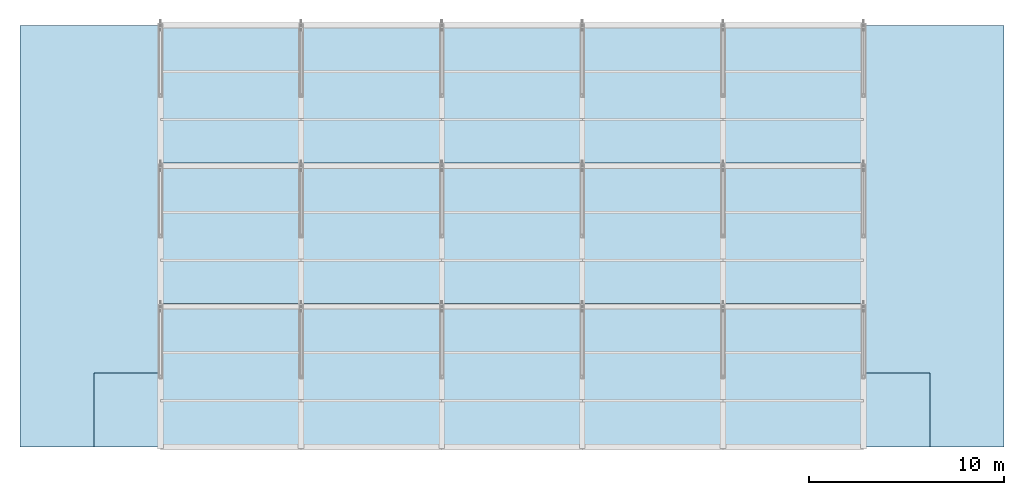
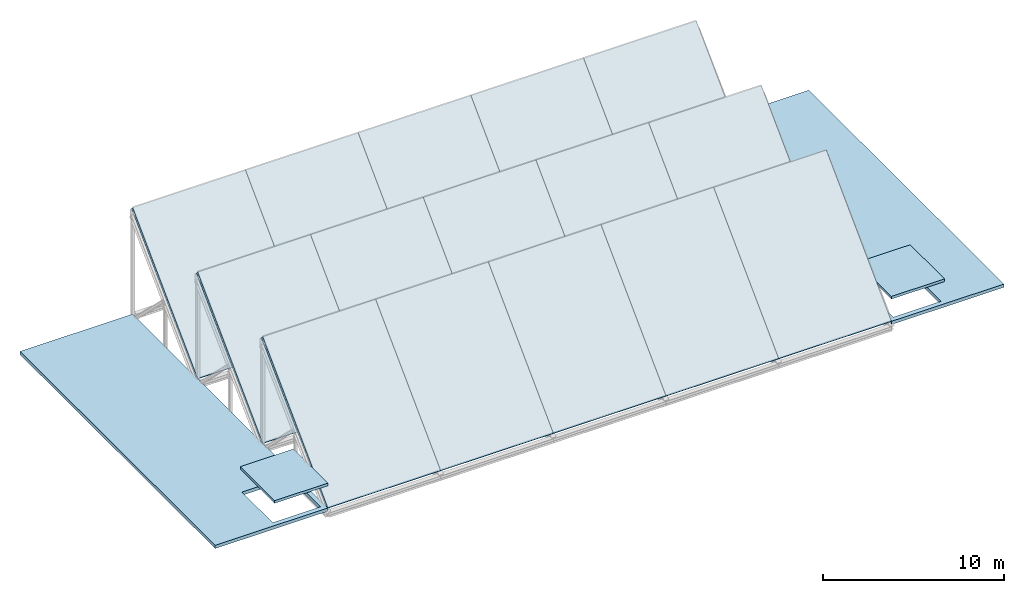
# One storey, part 5 of 7: 19 slabs.
"""IFC4 building model written with IfcOpenShell, lengths in metres."""

import ifcopenshell
import ifcopenshell.guid

model = None  # the IFC model being written
_history = None  # IfcOwnerHistory: only IFC2X3 demands one
_inside = {}  # id of a spatial element -> (the spatial element, [elements in it])
_under = {}  # id of a project, library or spatial element -> (it, [spatial elements below it])
_declared = {}  # id of a project -> (the project, [libraries it declares])
_typed = {}  # id of a type object -> (the type object, [elements of that type])
_made_of = {}  # id of a material, layer set ... -> (it, [elements and type objects made of it])


def new_model(schema):
    """Start an empty IFC model of exactly this schema.

    Asked for "IFC4X3", IfcOpenShell would pick the latest addendum, in which some entities
    have other attributes; the version numbers below select the first issue.
    IFC2X3 requires an IfcOwnerHistory on every rooted entity: one is made here for all.
    """
    global model, _history
    if schema == "IFC4X3":
        model = ifcopenshell.file(schema_version=(4, 3, 0, 0))
    else:
        model = ifcopenshell.file(schema=schema)
    _inside.clear()
    _under.clear()
    _declared.clear()
    _typed.clear()
    _made_of.clear()
    _history = None
    if model.schema == "IFC2X3":
        org = make("IfcOrganization", Name="unknown")
        user = make(
            "IfcPersonAndOrganization",
            ThePerson=make("IfcPerson", FamilyName="unknown"),
            TheOrganization=org,
        )
        app = make(
            "IfcApplication",
            ApplicationDeveloper=org,
            Version="unknown",
            ApplicationFullName="unknown",
            ApplicationIdentifier="unknown",
        )
        _history = make(
            "IfcOwnerHistory",
            OwningUser=user,
            OwningApplication=app,
            ChangeAction="ADDED",
            CreationDate=0,
        )
    return model


def make(cls, **values):
    """One entity of the class cls with the attributes given. An attribute that is None is left unset."""
    return model.create_entity(
        cls, **{name: value for name, value in values.items() if value is not None}
    )


def rooted(cls, **values):
    """An entity with a GlobalId (a new one), such as an element, a storey or a relation."""
    return make(cls, GlobalId=ifcopenshell.guid.new(), OwnerHistory=_history, **values)


def si_unit(unit_type, name, prefix=None):
    """IfcSIUnit, for example si_unit("LENGTHUNIT", "METRE", prefix="MILLI")."""
    return make("IfcSIUnit", UnitType=unit_type, Prefix=prefix, Name=name)


def assignment(units):
    """IfcUnitAssignment: the units of a project."""
    return None if units is None else make("IfcUnitAssignment", Units=units)


def point(xyz):
    """IfcCartesianPoint."""
    return None if xyz is None else make("IfcCartesianPoint", Coordinates=xyz)


def direction(xyz):
    """IfcDirection."""
    return None if xyz is None else make("IfcDirection", DirectionRatios=xyz)


def frame(location, z_axis=None, x_axis=None):
    """IfcAxis2Placement3D, a coordinate frame: its origin and axes. An axis left out is left unset."""
    return make(
        "IfcAxis2Placement3D",
        Location=point(location),
        Axis=direction(z_axis),
        RefDirection=direction(x_axis),
    )


def origin():
    """The frame at (0, 0, 0) with its axes left unset."""
    return frame((0.0, 0.0, 0.0))


def place(relative_to, where):
    """IfcLocalPlacement: puts the frame where relative to a parent placement (None: the world)."""
    return make(
        "IfcLocalPlacement", PlacementRelTo=relative_to, RelativePlacement=where
    )


def context(
    kind, dimensions, precision=None, world=None, true_north=None, identifier=None
):
    """IfcGeometricRepresentationContext, for example the 3D "Model" context."""
    return make(
        "IfcGeometricRepresentationContext",
        ContextIdentifier=identifier,
        ContextType=kind,
        CoordinateSpaceDimension=dimensions,
        Precision=precision,
        WorldCoordinateSystem=world,
        TrueNorth=true_north,
    )


def subcontext(parent, identifier, kind, view, scale=None):
    """IfcGeometricRepresentationSubContext, for example "Body" below "Model"."""
    return make(
        "IfcGeometricRepresentationSubContext",
        ContextIdentifier=identifier,
        ContextType=kind,
        ParentContext=parent,
        TargetScale=scale,
        TargetView=view,
    )


def project(units=None, contexts=None):
    """IfcProject with its units and contexts."""
    return rooted(
        "IfcProject",
        Name="project",
        RepresentationContexts=contexts,
        UnitsInContext=assignment(units),
    )


def spatial(cls, under=None, at=None, **own):
    """A site, building, storey or space (cls), placed at a placement, below another one or the project."""
    s = rooted(cls, ObjectPlacement=at, **own)
    if under is not None:
        _under.setdefault(under.id(), (under, []))[1].append(s)
    return s


def polyline(points):
    """IfcPolyline through the points."""
    return make("IfcPolyline", Points=[point(p) for p in points])


def outline(outer, holes=None, kind="AREA"):
    """IfcArbitraryClosedProfileDef: a profile drawn as a closed curve; with holes, ...WithVoids."""
    if holes is None:
        return make("IfcArbitraryClosedProfileDef", ProfileType=kind, OuterCurve=outer)
    return make(
        "IfcArbitraryProfileDefWithVoids",
        ProfileType=kind,
        OuterCurve=outer,
        InnerCurves=holes,
    )


def extrude(swept, where, along, depth):
    """IfcExtrudedAreaSolid: the profile swept, set in the frame where, extruded along a direction by depth."""
    return make(
        "IfcExtrudedAreaSolid",
        SweptArea=swept,
        Position=where,
        ExtrudedDirection=direction(along),
        Depth=depth,
    )


def shape(context_of_items, identifier, shape_type, items):
    """IfcShapeRepresentation: the items that make up one representation, for example the "Body"."""
    return make(
        "IfcShapeRepresentation",
        ContextOfItems=context_of_items,
        RepresentationIdentifier=identifier,
        RepresentationType=shape_type,
        Items=items,
    )


def material(Name=None, Category=None):
    """IfcMaterial."""
    return make("IfcMaterial", Name=Name, Category=Category)


def layer(
    of_material, thickness, ventilated=None, Name=None, Category=None, Priority=None
):
    """IfcMaterialLayer: one layer of a wall or slab, of a material (None: an air gap)."""
    return make(
        "IfcMaterialLayer",
        Material=of_material,
        LayerThickness=thickness,
        IsVentilated=ventilated,
        Name=Name,
        Category=Category,
        Priority=Priority,
    )


def layer_set(layers, Name=None):
    """IfcMaterialLayerSet."""
    return make("IfcMaterialLayerSet", MaterialLayers=layers, LayerSetName=Name)


def made_of(thing, what):
    """Note that an element or type object is made of a material, layer set ...; save() writes the relation."""
    if what is not None:
        _made_of.setdefault(what.id(), (what, []))[1].append(thing)
    return thing


def type_object(cls, material=None, **own):
    """A type object (cls), such as IfcWallType, which elements share."""
    return made_of(rooted(cls, **own), material)


def element(
    cls,
    number,
    at=None,
    inside=None,
    cuts=None,
    type_object=None,
    material=None,
    context=None,
    identifier="Body",
    shape_type=None,
    held_by="IfcProductDefinitionShape",
    body=None,
    shapes=None,
    **own,
):
    """One element of the class cls, such as IfcWall. Its Tag is "e" and its number.

    at: its placement. inside: the storey or other place that contains it. cuts: it is an
    opening in that element (IfcRelVoidsElement). A single representation is given by context,
    identifier, shape_type and body (its items); several are given by shapes. held_by: the class
    of the entity that holds the representations. save() writes the other relations.
    """
    e = rooted(cls, Tag="e%d" % number, ObjectPlacement=at, **own)
    if body is not None:
        shapes = [shape(context, identifier, shape_type, body)]
    if shapes is not None:
        e.Representation = make(held_by, Representations=shapes)
    if inside is not None:
        _inside.setdefault(inside.id(), (inside, []))[1].append(e)
    if cuts is not None:
        rooted(
            "IfcRelVoidsElement", RelatingBuildingElement=cuts, RelatedOpeningElement=e
        )
    if type_object is not None:
        _typed.setdefault(type_object.id(), (type_object, []))[1].append(e)
    return made_of(e, material)


def aggregate(whole, parts):
    """IfcRelAggregates: a whole, such as a stair, and the parts it consists of."""
    return rooted("IfcRelAggregates", RelatingObject=whole, RelatedObjects=parts)


def save(model, path):
    """Write the relations noted so far, then the file.

    IfcRelAggregates (storeys below a building ...), IfcRelContainedInSpatialStructure (elements
    in a storey), IfcRelDefinesByType, IfcRelAssociatesMaterial and IfcRelDeclares: one each for
    every whole, place, type object, material and project.
    """
    for whole, parts in _under.values():
        aggregate(whole, parts)
    for where, things in _inside.values():
        rooted(
            "IfcRelContainedInSpatialStructure",
            RelatedElements=things,
            RelatingStructure=where,
        )
    for kind, things in _typed.values():
        rooted("IfcRelDefinesByType", RelatedObjects=things, RelatingType=kind)
    for what, things in _made_of.values():
        rooted("IfcRelAssociatesMaterial", RelatedObjects=things, RelatingMaterial=what)
    for by, libraries in _declared.values():
        rooted("IfcRelDeclares", RelatingContext=by, RelatedDefinitions=libraries)
    model.write(path)


model = new_model("IFC4")

# Units and contexts
model_context = context("Model", 3, precision=1e-05, world=origin(), true_north=direction((0.0, 1.0)))
body_context = subcontext(model_context, "Body", "Model", "MODEL_VIEW")
ifc_project = project(units=[si_unit("LENGTHUNIT", "METRE"), si_unit("AREAUNIT", "SQUARE_METRE"), si_unit("VOLUMEUNIT", "CUBIC_METRE"), si_unit("PLANEANGLEUNIT", "RADIAN"), si_unit("MASSUNIT", "GRAM", prefix="KILO")], contexts=[model_context])

# Site, building, storey
site_placement = place(None, origin())
site = spatial("IfcSite", under=ifc_project, at=site_placement, CompositionType="ELEMENT")
building_placement = place(site_placement, origin())
building = spatial("IfcBuilding", under=site, at=building_placement, Name="Zlatovets Crest Museum", CompositionType="ELEMENT")
storey_placement = place(building_placement, frame((0.0, 0.0, 30.60009765625)))
storey = spatial("IfcBuildingStorey", under=building, at=storey_placement, Name="Roof", CompositionType="ELEMENT", Elevation=30.60009765625)

# Slabs
ifc_material = material(Name="Concrete C30/37", Category="concrete")
ifc_layer_1 = layer(ifc_material, 0.219970703125)
ifc_layer_set_1 = layer_set([ifc_layer_1], Name="Concrete C30/37")
slab_type_1 = type_object("IfcSlabType", Name="Slab_RS-01", PredefinedType="ROOF", material=ifc_layer_set_1)
slab_1_placement = place(storey_placement, frame((0.0, 0.0, -0.22021484375)))
element("IfcSlab", 1, at=slab_1_placement, inside=storey, type_object=slab_type_1, Name="V1 Roof Core C1 Flat Wing Slab", PredefinedType="ROOF", context=body_context, shape_type="SweptSolid", body=[
    extrude(outline(polyline([(57.60009765625, 93.60009765625), (57.60009765625, 115.199951171875), (64.800048828125, 115.199951171875), (64.800048828125, 93.60009765625), (57.60009765625, 93.60009765625)]), holes=[polyline([(64.5, 97.300048828125), (61.449951171875, 97.300048828125), (61.449951171875, 93.89990234375), (64.5, 93.89990234375), (64.5, 97.300048828125)])]), origin(), (0.0, 0.0, 1.0), 0.22021484375),
])
slab_2_placement = place(storey_placement, frame((0.0, 0.0, -0.22021484375)))
element("IfcSlab", 2, at=slab_2_placement, inside=storey, type_object=slab_type_1, Name="V1 Roof Core C6 Flat Wing Slab", PredefinedType="ROOF", context=body_context, shape_type="SweptSolid", body=[
    extrude(outline(polyline([(100.800048828125, 93.60009765625), (100.800048828125, 115.199951171875), (108.0, 115.199951171875), (108.0, 93.60009765625), (100.800048828125, 93.60009765625)]), holes=[polyline([(104.14990234375, 97.300048828125), (101.10009765625, 97.300048828125), (101.10009765625, 93.89990234375), (104.14990234375, 93.89990234375), (104.14990234375, 97.300048828125)])]), origin(), (0.0, 0.0, 1.0), 0.22021484375),
])
ifc_layer_2 = layer(ifc_material, 0.219970703125)
ifc_layer_set_2 = layer_set([ifc_layer_2], Name="Concrete C30/37")
slab_type_2 = type_object("IfcSlabType", Name="Slab_RS-02", PredefinedType="ROOF", material=ifc_layer_set_2)
for number, where, z_axis, x_axis, name in (
    (3, (64.800048828125, 93.60009765625, 0.0), (0.0, -0.707106781187, 0.707106781187), (1.0, 0.0, 0.0), "V1 Sawtooth Tooth 1 Sloped Roof Slab Bay 1"),
    (4, (72.0, 93.60009765625, 0.0), (0.0, -0.707106781187, 0.707106781187), (1.0, 0.0, 0.0), "V1 Sawtooth Tooth 1 Sloped Roof Slab Bay 2"),
    (5, (79.199951171875, 93.60009765625, 0.0), (0.0, -0.707106781187, 0.707106781187), (1.0, 0.0, 0.0), "V1 Sawtooth Tooth 1 Sloped Roof Slab Bay 3"),
):
    element("IfcSlab", number, at=place(storey_placement, frame(where, z_axis=z_axis, x_axis=x_axis)), inside=storey, type_object=slab_type_2, Name=name, PredefinedType="ROOF", context=body_context, shape_type="SweptSolid", body=[
        extrude(outline(polyline([(0.0, 0.0), (7.199951171875, 0.0), (7.199951171875, 10.182268595689685), (0.0, 10.182268595689685), (0.0, 0.0)])), origin(), (0.0, 0.0, -1.0), 0.219970703125),
    ])
slab_3_placement = place(storey_placement, frame((86.39990234375, 93.60009765625, 0.0), z_axis=(0.0, -0.707106781187, 0.707106781187), x_axis=(1.0, 0.0, 0.0)))
element("IfcSlab", 6, at=slab_3_placement, inside=storey, type_object=slab_type_2, Name="V1 Sawtooth Tooth 1 Sloped Roof Slab Bay 4", PredefinedType="ROOF", context=body_context, shape_type="SweptSolid", body=[
    extrude(outline(polyline([(0.0, 0.0), (7.2001953125, 0.0), (7.2001953125, 10.182268595689685), (0.0, 10.182268595689685), (0.0, 0.0)])), origin(), (0.0, 0.0, -1.0), 0.219970703125),
])
for number, where, z_axis, x_axis, name in (
    (7, (93.60009765625, 93.60009765625, 0.0), (0.0, -0.707106781187, 0.707106781187), (1.0, 0.0, 0.0), "V1 Sawtooth Tooth 1 Sloped Roof Slab Bay 5"),
    (8, (64.800048828125, 100.800048828125, 0.0), (0.0, -0.707106781187, 0.707106781187), (1.0, 0.0, 0.0), "V1 Sawtooth Tooth 2 Sloped Roof Slab Bay 1"),
    (9, (72.0, 100.800048828125, 0.0), (0.0, -0.707106781187, 0.707106781187), (1.0, 0.0, 0.0), "V1 Sawtooth Tooth 2 Sloped Roof Slab Bay 2"),
    (10, (79.199951171875, 100.800048828125, 0.0), (0.0, -0.707106781187, 0.707106781187), (1.0, 0.0, 0.0), "V1 Sawtooth Tooth 2 Sloped Roof Slab Bay 3"),
):
    element("IfcSlab", number, at=place(storey_placement, frame(where, z_axis=z_axis, x_axis=x_axis)), inside=storey, type_object=slab_type_2, Name=name, PredefinedType="ROOF", context=body_context, shape_type="SweptSolid", body=[
        extrude(outline(polyline([(0.0, 0.0), (7.199951171875, 0.0), (7.199951171875, 10.182268595689685), (0.0, 10.182268595689685), (0.0, 0.0)])), origin(), (0.0, 0.0, -1.0), 0.219970703125),
    ])
slab_4_placement = place(storey_placement, frame((86.39990234375, 100.800048828125, 0.0), z_axis=(0.0, -0.707106781187, 0.707106781187), x_axis=(1.0, 0.0, 0.0)))
element("IfcSlab", 11, at=slab_4_placement, inside=storey, type_object=slab_type_2, Name="V1 Sawtooth Tooth 2 Sloped Roof Slab Bay 4", PredefinedType="ROOF", context=body_context, shape_type="SweptSolid", body=[
    extrude(outline(polyline([(0.0, 0.0), (7.2001953125, 0.0), (7.2001953125, 10.182268595689685), (0.0, 10.182268595689685), (0.0, 0.0)])), origin(), (0.0, 0.0, -1.0), 0.219970703125),
])
for number, where, z_axis, x_axis, name in (
    (12, (93.60009765625, 100.800048828125, 0.0), (0.0, -0.707106781187, 0.707106781187), (1.0, 0.0, 0.0), "V1 Sawtooth Tooth 2 Sloped Roof Slab Bay 5"),
    (13, (64.800048828125, 108.0, 0.0), (0.0, -0.707106781187, 0.707106781187), (1.0, 0.0, 0.0), "V1 Sawtooth Tooth 3 Sloped Roof Slab Bay 1"),
    (14, (72.0, 108.0, 0.0), (0.0, -0.707106781187, 0.707106781187), (1.0, 0.0, 0.0), "V1 Sawtooth Tooth 3 Sloped Roof Slab Bay 2"),
    (15, (79.199951171875, 108.0, 0.0), (0.0, -0.707106781187, 0.707106781187), (1.0, 0.0, 0.0), "V1 Sawtooth Tooth 3 Sloped Roof Slab Bay 3"),
):
    element("IfcSlab", number, at=place(storey_placement, frame(where, z_axis=z_axis, x_axis=x_axis)), inside=storey, type_object=slab_type_2, Name=name, PredefinedType="ROOF", context=body_context, shape_type="SweptSolid", body=[
        extrude(outline(polyline([(0.0, 0.0), (7.199951171875, 0.0), (7.199951171875, 10.182268595689685), (0.0, 10.182268595689685), (0.0, 0.0)])), origin(), (0.0, 0.0, -1.0), 0.219970703125),
    ])
slab_5_placement = place(storey_placement, frame((86.39990234375, 108.0, 0.0), z_axis=(0.0, -0.707106781187, 0.707106781187), x_axis=(1.0, 0.0, 0.0)))
element("IfcSlab", 16, at=slab_5_placement, inside=storey, type_object=slab_type_2, Name="V1 Sawtooth Tooth 3 Sloped Roof Slab Bay 4", PredefinedType="ROOF", context=body_context, shape_type="SweptSolid", body=[
    extrude(outline(polyline([(0.0, 0.0), (7.2001953125, 0.0), (7.2001953125, 10.182268595689685), (0.0, 10.182268595689685), (0.0, 0.0)])), origin(), (0.0, 0.0, -1.0), 0.219970703125),
])
slab_6_placement = place(storey_placement, frame((93.60009765625, 108.0, 0.0), z_axis=(0.0, -0.707106781187, 0.707106781187), x_axis=(1.0, 0.0, 0.0)))
element("IfcSlab", 17, at=slab_6_placement, inside=storey, type_object=slab_type_2, Name="V1 Sawtooth Tooth 3 Sloped Roof Slab Bay 5", PredefinedType="ROOF", context=body_context, shape_type="SweptSolid", body=[
    extrude(outline(polyline([(0.0, 0.0), (7.199951171875, 0.0), (7.199951171875, 10.182268595689685), (0.0, 10.182268595689685), (0.0, 0.0)])), origin(), (0.0, 0.0, -1.0), 0.219970703125),
])
ifc_layer_3 = layer(ifc_material, 0.179931640625)
ifc_layer_set_3 = layer_set([ifc_layer_3], Name="Concrete C30/37")
slab_type_3 = type_object("IfcSlabType", Name="Slab_RS-05", PredefinedType="ROOF", material=ifc_layer_set_3)
slab_7_placement = place(storey_placement, frame((0.0, 0.0, 1.5)))
element("IfcSlab", 18, at=slab_7_placement, inside=storey, type_object=slab_type_3, Name="Lift FL1 Overrun Roof Slab", PredefinedType="ROOF", context=body_context, shape_type="SweptSolid", body=[
    extrude(outline(polyline([(61.39990234375, 93.60009765625), (64.800048828125, 93.60009765625), (64.800048828125, 97.39990234375), (61.39990234375, 97.39990234375), (61.39990234375, 93.60009765625)])), origin(), (0.0, 0.0, 1.0), 0.179931640625),
])
slab_8_placement = place(storey_placement, frame((0.0, 0.0, 1.5)))
element("IfcSlab", 19, at=slab_8_placement, inside=storey, type_object=slab_type_3, Name="Lift FL2 Overrun Roof Slab", PredefinedType="ROOF", context=body_context, shape_type="SweptSolid", body=[
    extrude(outline(polyline([(100.800048828125, 93.60009765625), (104.199951171875, 93.60009765625), (104.199951171875, 97.39990234375), (100.800048828125, 97.39990234375), (100.800048828125, 93.60009765625)])), origin(), (0.0, 0.0, 1.0), 0.179931640625),
])

save(model, "model.ifc")
